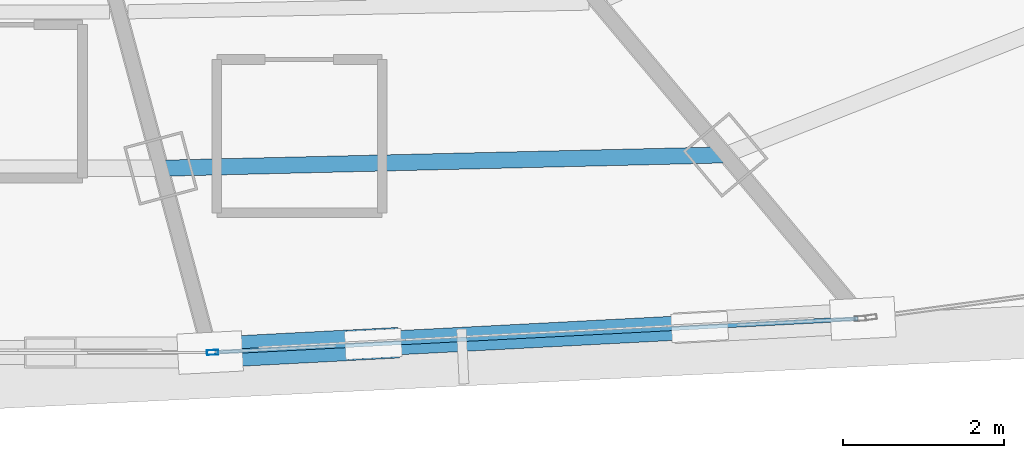
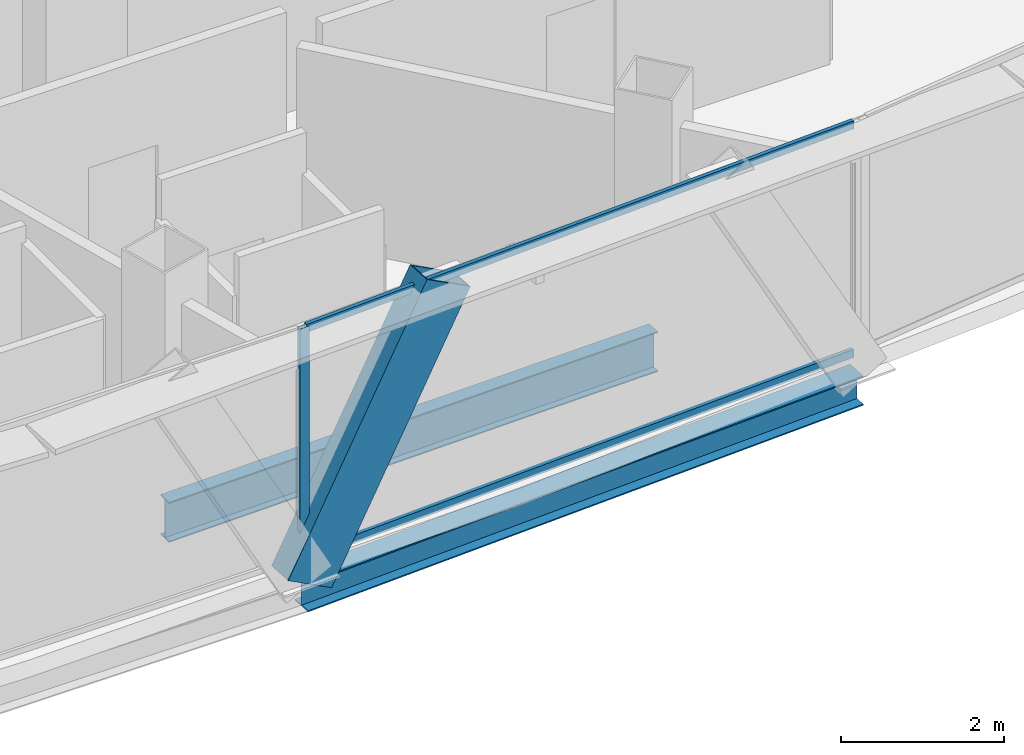
# One storey, part 10 of 40: 4 members, 2 beams, 1 element without a shape of its own.
"""IFC4 building model written with IfcOpenShell, lengths in metres."""

from ifc_helpers import new_model, si_unit, direction, frame, origin, origin_2d, place, context, subcontext, project, spatial, hollow_rectangle, i_section, extrude, source, transform, mapped, material, layer, layer_set, material_profile, profile_set, type_object, element, aggregate, save


model = new_model("IFC4")

# Units and contexts
model_context = context("Model", 3, precision=1e-05, world=origin(), true_north=direction((0.0, 1.0)))
body_context = subcontext(model_context, "Body", "Model", "MODEL_VIEW")
ifc_project = project(units=[si_unit("LENGTHUNIT", "METRE"), si_unit("AREAUNIT", "SQUARE_METRE"), si_unit("VOLUMEUNIT", "CUBIC_METRE"), si_unit("PLANEANGLEUNIT", "RADIAN"), si_unit("MASSUNIT", "GRAM", prefix="KILO"), si_unit("THERMODYNAMICTEMPERATUREUNIT", "KELVIN"), si_unit("POWERUNIT", "WATT")], contexts=[model_context])

# Site, building, storey
site_placement = place(None, origin())
site = spatial("IfcSite", under=ifc_project, at=site_placement, CompositionType="ELEMENT")
building_placement = place(site_placement, origin())
building = spatial("IfcBuilding", under=site, at=building_placement, Name="Yunzhuo Pagoda Commons", CompositionType="ELEMENT")
storey_placement = place(building_placement, frame((0.0, 0.0, 288.75)))
storey = spatial("IfcBuildingStorey", under=building, at=storey_placement, Name="L72", CompositionType="ELEMENT", Elevation=288.75)

# Beams
ifc_material_1 = material(Name="Structural steel Q355B", Category="steel")
ifc_material_profile_1 = material_profile(ifc_material_1, i_section(OverallWidth=0.199951171875, OverallDepth=0.60009765625, WebThickness=0.010986328125, FlangeThickness=0.01708984375, at=origin_2d()), Name="Structural steel Q355B")
ifc_profile_set_1 = profile_set([ifc_material_profile_1], Name="Structural steel Q355B")
beam_type_1 = type_object("IfcBeamType", Name="B-RG3 Beam HN 600x200x11x17", PredefinedType="BEAM", material=ifc_profile_set_1)
shared_shape_1 = source(origin(), body_context, "Body", "SweptSolid", [
    extrude(i_section(OverallWidth=0.199951171875, OverallDepth=0.60009765625, WebThickness=0.010986328125, FlangeThickness=0.01708984375, at=origin_2d()), origin(), (0.0, 0.0, 1.0), 7.0048828125),
])
beam_1_placement = place(storey_placement, frame((51.3505859375, 21.195556640625, -0.56005859375), z_axis=(0.99971911704, 0.023699937233, 0.0), x_axis=(-0.023699937233, 0.99971911704, 0.0)))
element("IfcBeam", 1, at=beam_1_placement, inside=storey, type_object=beam_type_1, Name="L72 column-ring beam 3", PredefinedType="BEAM", context=body_context, shape_type="MappedRepresentation", body=[
    mapped(shared_shape_1, transform((0.0, 0.0, 0.0), scale=1.0)),
])
ifc_material_profile_2 = material_profile(ifc_material_1, i_section(OverallWidth=0.300048828125, OverallDepth=0.43994140625, WebThickness=0.010986328125, FlangeThickness=0.01806640625, at=origin_2d()), Name="Structural steel Q355B")
ifc_profile_set_2 = profile_set([ifc_material_profile_2], Name="Structural steel Q355B")
beam_type_2 = type_object("IfcBeamType", Name="B-SP2 Beam HM 440x300x11x18", PredefinedType="BEAM", material=ifc_profile_set_2)
shared_shape_2 = source(origin(), body_context, "Body", "SweptSolid", [
    extrude(i_section(OverallWidth=0.300048828125, OverallDepth=0.43994140625, WebThickness=0.010986328125, FlangeThickness=0.01806640625, at=origin_2d()), origin(), (0.0, 0.0, 1.0), 8.10302734375),
])
beam_2_placement = place(storey_placement, frame((51.962890625, 18.910888671875, -0.479736328125), z_axis=(0.998639054255, 0.052153996166, 0.0), x_axis=(-0.052153996166, 0.998639054255, 0.0)))
element("IfcBeam", 2, at=beam_2_placement, inside=storey, type_object=beam_type_2, Name="L72 facade edge spandrel beam F1.3", PredefinedType="BEAM", context=body_context, shape_type="MappedRepresentation", body=[
    mapped(shared_shape_2, transform((0.0, 0.0, 0.0), scale=1.0)),
])

# Member
ifc_material_profile_3 = material_profile(ifc_material_1, hollow_rectangle(XDim=0.3798828125, YDim=0.719970703125, WallThickness=0.02001953125, at=origin_2d()), Name="Structural steel Q355B")
ifc_profile_set_3 = profile_set([ifc_material_profile_3], Name="Structural steel Q355B")
member_type_1 = type_object("IfcMemberType", Name="M-DL3 Brace BOX 720x380x20", PredefinedType="BRACE", material=ifc_profile_set_3)
shared_shape_3 = source(origin(), body_context, "Body", "SweptSolid", [
    extrude(hollow_rectangle(XDim=0.3798828125, YDim=0.719970703125, WallThickness=0.02001953125, at=origin_2d()), origin(), (0.0, 0.0, 1.0), 4.24462890625),
])
member_1_placement = place(storey_placement, frame((51.962890625, 18.910888671875, -0.260009765625), z_axis=(0.476599262293, 0.024848042639, 0.878769433901), x_axis=(-0.05206541976, 0.998643676226, 0.0)))
element("IfcMember", 3, at=member_1_placement, inside=storey, type_object=member_type_1, Name="L72 facade diamond brace F1.3L", PredefinedType="BRACE", context=body_context, shape_type="MappedRepresentation", body=[
    mapped(shared_shape_3, transform((0.0, 0.0, 0.0), scale=1.0)),
])

# Curtain wall, members
ifc_material_2 = material(Name="Anodized aluminium 6063-T6", Category="aluminium")
ifc_layer = layer(ifc_material_2, 0.139892578125)
ifc_layer_set = layer_set([ifc_layer], Name="Anodized aluminium 6063-T6")
curtain_wall_type = type_object("IfcCurtainWallType", Name="CW-HI High-Zone Ribbon Curtain Wall", PredefinedType="NOTDEFINED", material=ifc_layer_set)
curtain_wall_placement = place(storey_placement, origin())
curtain_wall = element("IfcCurtainWall", 4, at=curtain_wall_placement, inside=storey, type_object=curtain_wall_type, Name="L72 curtain wall CW-L72-F1B4", PredefinedType="NOTDEFINED")
ifc_material_profile_4 = material_profile(ifc_material_2, hollow_rectangle(XDim=0.06005859375, YDim=0.139892578125, WallThickness=0.00341796875, at=origin_2d()), Name="Anodized aluminium 6063-T6")
ifc_profile_set_4 = profile_set([ifc_material_profile_4], Name="Anodized aluminium 6063-T6")
member_type_2 = type_object("IfcMemberType", Name="CW-HI-M Mullion RHS 140x60x3.5", PredefinedType="MULLION", material=ifc_profile_set_4)
shared_shape_4 = source(origin(), body_context, "Body", "SweptSolid", [
    extrude(hollow_rectangle(XDim=0.06005859375, YDim=0.139892578125, WallThickness=0.00341796875, at=origin_2d()), origin(), (0.0, 0.0, 1.0), 3.469970703125),
])
member_2_placement = place(storey_placement, frame((51.99267578125, 18.912109375, 0.0), z_axis=(0.0, 0.0, 1.0), x_axis=(-0.052189625547, 0.998637192871, 0.0)))
member_2 = element("IfcMember", 5, at=member_2_placement, type_object=member_type_2, Name="CW mullion 1", PredefinedType="MULLION", context=body_context, shape_type="MappedRepresentation", body=[
    mapped(shared_shape_4, transform((0.0, 0.0, 0.0), scale=1.0)),
])
ifc_material_profile_5 = material_profile(ifc_material_2, hollow_rectangle(XDim=0.054931640625, YDim=0.1201171875, WallThickness=0.00341796875, at=origin_2d()), Name="Anodized aluminium 6063-T6")
ifc_profile_set_5 = profile_set([ifc_material_profile_5], Name="Anodized aluminium 6063-T6")
member_type_3 = type_object("IfcMemberType", Name="CW-HI-T Transom RHS 120x55x3.5", PredefinedType="USERDEFINED", material=ifc_profile_set_5)
shared_shape_5 = source(origin(), body_context, "Body", "SweptSolid", [
    extrude(hollow_rectangle(XDim=0.054931640625, YDim=0.1201171875, WallThickness=0.00341796875, at=origin_2d()), origin(), (0.0, 0.0, 1.0), 7.983154296875),
])
member_3_placement = place(storey_placement, frame((52.022705078125, 18.913818359375, 0.027587890625), z_axis=(0.998638030657, 0.052173592218, 0.0), x_axis=(-0.052173592218, 0.998638030657, 0.0)))
member_3 = element("IfcMember", 6, at=member_3_placement, type_object=member_type_3, Name="CW transom 1.1", ObjectType="TRANSOM", PredefinedType="USERDEFINED", context=body_context, shape_type="MappedRepresentation", body=[
    mapped(shared_shape_5, transform((0.0, 0.0, 0.0), scale=1.0)),
])
member_4_placement = place(storey_placement, frame((52.022705078125, 18.913818359375, 3.4423828125), z_axis=(0.998638030657, 0.052173592218, 0.0), x_axis=(-0.052173592218, 0.998638030657, 0.0)))
member_4 = element("IfcMember", 7, at=member_4_placement, type_object=member_type_3, Name="CW transom 1.2", ObjectType="TRANSOM", PredefinedType="USERDEFINED", context=body_context, shape_type="MappedRepresentation", body=[
    mapped(shared_shape_5, transform((0.0, 0.0, 0.0), scale=1.0)),
])
aggregate(curtain_wall, [member_2, member_3, member_4])

save(model, "model.ifc")
